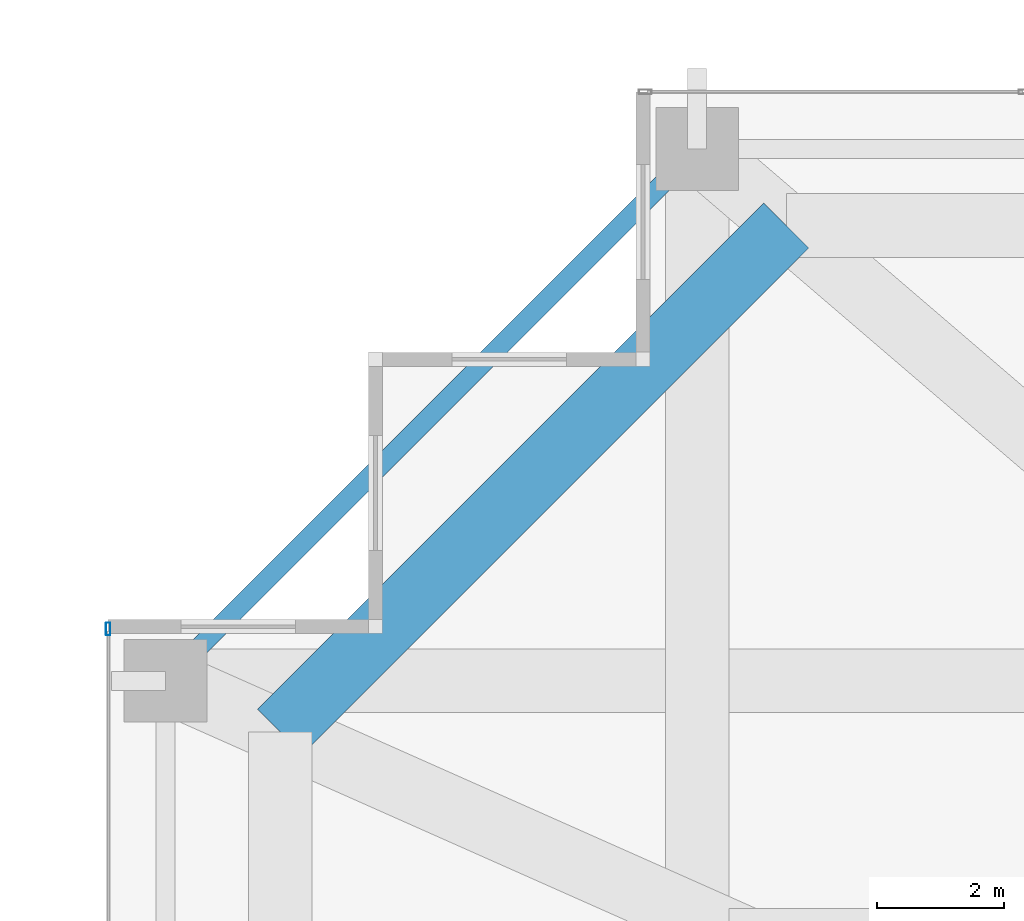
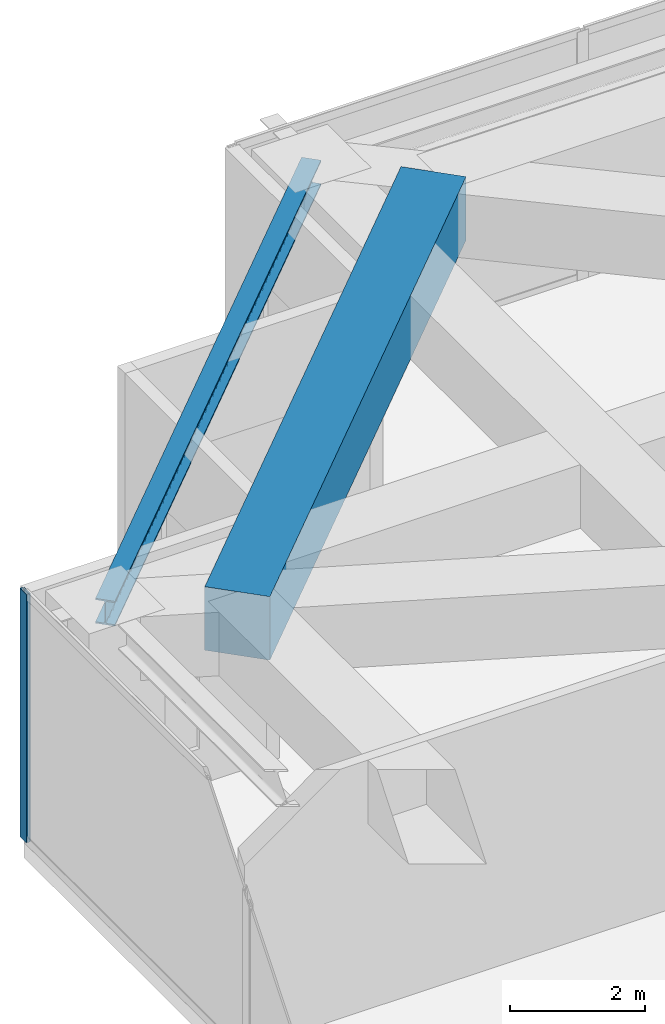
# One storey, part 20 of 35: 2 beams, 1 member, 1 element without a shape of its own.
"""IFC4 building model written with IfcOpenShell, lengths in metres."""

import ifcopenshell
import ifcopenshell.guid

model = None  # the IFC model being written
_history = None  # IfcOwnerHistory: only IFC2X3 demands one
_inside = {}  # id of a spatial element -> (the spatial element, [elements in it])
_under = {}  # id of a project, library or spatial element -> (it, [spatial elements below it])
_declared = {}  # id of a project -> (the project, [libraries it declares])
_typed = {}  # id of a type object -> (the type object, [elements of that type])
_made_of = {}  # id of a material, layer set ... -> (it, [elements and type objects made of it])


def new_model(schema):
    """Start an empty IFC model of exactly this schema.

    Asked for "IFC4X3", IfcOpenShell would pick the latest addendum, in which some entities
    have other attributes; the version numbers below select the first issue.
    IFC2X3 requires an IfcOwnerHistory on every rooted entity: one is made here for all.
    """
    global model, _history
    if schema == "IFC4X3":
        model = ifcopenshell.file(schema_version=(4, 3, 0, 0))
    else:
        model = ifcopenshell.file(schema=schema)
    _inside.clear()
    _under.clear()
    _declared.clear()
    _typed.clear()
    _made_of.clear()
    _history = None
    if model.schema == "IFC2X3":
        org = make("IfcOrganization", Name="unknown")
        user = make(
            "IfcPersonAndOrganization",
            ThePerson=make("IfcPerson", FamilyName="unknown"),
            TheOrganization=org,
        )
        app = make(
            "IfcApplication",
            ApplicationDeveloper=org,
            Version="unknown",
            ApplicationFullName="unknown",
            ApplicationIdentifier="unknown",
        )
        _history = make(
            "IfcOwnerHistory",
            OwningUser=user,
            OwningApplication=app,
            ChangeAction="ADDED",
            CreationDate=0,
        )
    return model


def make(cls, **values):
    """One entity of the class cls with the attributes given. An attribute that is None is left unset."""
    return model.create_entity(
        cls, **{name: value for name, value in values.items() if value is not None}
    )


def rooted(cls, **values):
    """An entity with a GlobalId (a new one), such as an element, a storey or a relation."""
    return make(cls, GlobalId=ifcopenshell.guid.new(), OwnerHistory=_history, **values)


def si_unit(unit_type, name, prefix=None):
    """IfcSIUnit, for example si_unit("LENGTHUNIT", "METRE", prefix="MILLI")."""
    return make("IfcSIUnit", UnitType=unit_type, Prefix=prefix, Name=name)


def assignment(units):
    """IfcUnitAssignment: the units of a project."""
    return None if units is None else make("IfcUnitAssignment", Units=units)


def point(xyz):
    """IfcCartesianPoint."""
    return None if xyz is None else make("IfcCartesianPoint", Coordinates=xyz)


def direction(xyz):
    """IfcDirection."""
    return None if xyz is None else make("IfcDirection", DirectionRatios=xyz)


def frame(location, z_axis=None, x_axis=None):
    """IfcAxis2Placement3D, a coordinate frame: its origin and axes. An axis left out is left unset."""
    return make(
        "IfcAxis2Placement3D",
        Location=point(location),
        Axis=direction(z_axis),
        RefDirection=direction(x_axis),
    )


def frame_2d(location, x_axis=None):
    """IfcAxis2Placement2D, a coordinate frame in the plane: its origin and x axis."""
    return make(
        "IfcAxis2Placement2D", Location=point(location), RefDirection=direction(x_axis)
    )


def origin():
    """The frame at (0, 0, 0) with its axes left unset."""
    return frame((0.0, 0.0, 0.0))


def origin_2d():
    """The frame at (0, 0) in the plane with its x axis left unset."""
    return frame_2d((0.0, 0.0))


def place(relative_to, where):
    """IfcLocalPlacement: puts the frame where relative to a parent placement (None: the world)."""
    return make(
        "IfcLocalPlacement", PlacementRelTo=relative_to, RelativePlacement=where
    )


def context(
    kind, dimensions, precision=None, world=None, true_north=None, identifier=None
):
    """IfcGeometricRepresentationContext, for example the 3D "Model" context."""
    return make(
        "IfcGeometricRepresentationContext",
        ContextIdentifier=identifier,
        ContextType=kind,
        CoordinateSpaceDimension=dimensions,
        Precision=precision,
        WorldCoordinateSystem=world,
        TrueNorth=true_north,
    )


def subcontext(parent, identifier, kind, view, scale=None):
    """IfcGeometricRepresentationSubContext, for example "Body" below "Model"."""
    return make(
        "IfcGeometricRepresentationSubContext",
        ContextIdentifier=identifier,
        ContextType=kind,
        ParentContext=parent,
        TargetScale=scale,
        TargetView=view,
    )


def project(units=None, contexts=None):
    """IfcProject with its units and contexts."""
    return rooted(
        "IfcProject",
        Name="project",
        RepresentationContexts=contexts,
        UnitsInContext=assignment(units),
    )


def spatial(cls, under=None, at=None, **own):
    """A site, building, storey or space (cls), placed at a placement, below another one or the project."""
    s = rooted(cls, ObjectPlacement=at, **own)
    if under is not None:
        _under.setdefault(under.id(), (under, []))[1].append(s)
    return s


def profile(cls, at=None, kind="AREA", **sizes):
    """A parametric profile (cls). Its sizes go by their IFC names, for example OverallWidth=200.0."""
    return make(cls, ProfileType=kind, Position=at, **sizes)


def rectangle(**sizes):
    """IfcRectangleProfileDef."""
    return profile("IfcRectangleProfileDef", **sizes)


def hollow_rectangle(**sizes):
    """IfcRectangleHollowProfileDef."""
    return profile("IfcRectangleHollowProfileDef", **sizes)


def i_section(**sizes):
    """IfcIShapeProfileDef."""
    return profile("IfcIShapeProfileDef", **sizes)


def extrude(swept, where, along, depth):
    """IfcExtrudedAreaSolid: the profile swept, set in the frame where, extruded along a direction by depth."""
    return make(
        "IfcExtrudedAreaSolid",
        SweptArea=swept,
        Position=where,
        ExtrudedDirection=direction(along),
        Depth=depth,
    )


def shape(context_of_items, identifier, shape_type, items):
    """IfcShapeRepresentation: the items that make up one representation, for example the "Body"."""
    return make(
        "IfcShapeRepresentation",
        ContextOfItems=context_of_items,
        RepresentationIdentifier=identifier,
        RepresentationType=shape_type,
        Items=items,
    )


def source(mapping_origin, context_of_items, identifier, shape_type, items):
    """IfcRepresentationMap: a shape defined once, which mapped items show again and again."""
    return make(
        "IfcRepresentationMap",
        MappingOrigin=mapping_origin,
        MappedRepresentation=shape(context_of_items, identifier, shape_type, items),
    )


def transform(
    local_origin,
    x_axis=None,
    y_axis=None,
    z_axis=None,
    scale=None,
    scale2=None,
    scale3=None,
    uniform=True,
):
    """IfcCartesianTransformationOperator3D, or its non-uniform kind. x_axis, y_axis, z_axis: its Axis1, 2, 3."""
    if uniform:
        return make(
            "IfcCartesianTransformationOperator3D",
            Axis1=direction(x_axis),
            Axis2=direction(y_axis),
            LocalOrigin=point(local_origin),
            Scale=scale,
            Axis3=direction(z_axis),
        )
    return make(
        "IfcCartesianTransformationOperator3DnonUniform",
        Axis1=direction(x_axis),
        Axis2=direction(y_axis),
        LocalOrigin=point(local_origin),
        Scale=scale,
        Axis3=direction(z_axis),
        Scale2=scale2,
        Scale3=scale3,
    )


def mapped(mapping_source, mapping_target):
    """IfcMappedItem: shows the shape of a source again, moved by a transform."""
    return make(
        "IfcMappedItem", MappingSource=mapping_source, MappingTarget=mapping_target
    )


def material(Name=None, Category=None):
    """IfcMaterial."""
    return make("IfcMaterial", Name=Name, Category=Category)


def layer(
    of_material, thickness, ventilated=None, Name=None, Category=None, Priority=None
):
    """IfcMaterialLayer: one layer of a wall or slab, of a material (None: an air gap)."""
    return make(
        "IfcMaterialLayer",
        Material=of_material,
        LayerThickness=thickness,
        IsVentilated=ventilated,
        Name=Name,
        Category=Category,
        Priority=Priority,
    )


def layer_set(layers, Name=None):
    """IfcMaterialLayerSet."""
    return make("IfcMaterialLayerSet", MaterialLayers=layers, LayerSetName=Name)


def material_profile(
    of_material, cross_section, Name=None, Category=None, Priority=None
):
    """IfcMaterialProfile: a cross section and its material."""
    return make(
        "IfcMaterialProfile",
        Name=Name,
        Material=of_material,
        Profile=cross_section,
        Priority=Priority,
        Category=Category,
    )


def profile_set(profiles, Name=None, composite=None):
    """IfcMaterialProfileSet."""
    return make(
        "IfcMaterialProfileSet",
        Name=Name,
        MaterialProfiles=profiles,
        CompositeProfile=composite,
    )


def made_of(thing, what):
    """Note that an element or type object is made of a material, layer set ...; save() writes the relation."""
    if what is not None:
        _made_of.setdefault(what.id(), (what, []))[1].append(thing)
    return thing


def type_object(cls, material=None, **own):
    """A type object (cls), such as IfcWallType, which elements share."""
    return made_of(rooted(cls, **own), material)


def element(
    cls,
    number,
    at=None,
    inside=None,
    cuts=None,
    type_object=None,
    material=None,
    context=None,
    identifier="Body",
    shape_type=None,
    held_by="IfcProductDefinitionShape",
    body=None,
    shapes=None,
    **own,
):
    """One element of the class cls, such as IfcWall. Its Tag is "e" and its number.

    at: its placement. inside: the storey or other place that contains it. cuts: it is an
    opening in that element (IfcRelVoidsElement). A single representation is given by context,
    identifier, shape_type and body (its items); several are given by shapes. held_by: the class
    of the entity that holds the representations. save() writes the other relations.
    """
    e = rooted(cls, Tag="e%d" % number, ObjectPlacement=at, **own)
    if body is not None:
        shapes = [shape(context, identifier, shape_type, body)]
    if shapes is not None:
        e.Representation = make(held_by, Representations=shapes)
    if inside is not None:
        _inside.setdefault(inside.id(), (inside, []))[1].append(e)
    if cuts is not None:
        rooted(
            "IfcRelVoidsElement", RelatingBuildingElement=cuts, RelatedOpeningElement=e
        )
    if type_object is not None:
        _typed.setdefault(type_object.id(), (type_object, []))[1].append(e)
    return made_of(e, material)


def aggregate(whole, parts):
    """IfcRelAggregates: a whole, such as a stair, and the parts it consists of."""
    return rooted("IfcRelAggregates", RelatingObject=whole, RelatedObjects=parts)


def save(model, path):
    """Write the relations noted so far, then the file.

    IfcRelAggregates (storeys below a building ...), IfcRelContainedInSpatialStructure (elements
    in a storey), IfcRelDefinesByType, IfcRelAssociatesMaterial and IfcRelDeclares: one each for
    every whole, place, type object, material and project.
    """
    for whole, parts in _under.values():
        aggregate(whole, parts)
    for where, things in _inside.values():
        rooted(
            "IfcRelContainedInSpatialStructure",
            RelatedElements=things,
            RelatingStructure=where,
        )
    for kind, things in _typed.values():
        rooted("IfcRelDefinesByType", RelatedObjects=things, RelatingType=kind)
    for what, things in _made_of.values():
        rooted("IfcRelAssociatesMaterial", RelatedObjects=things, RelatingMaterial=what)
    for by, libraries in _declared.values():
        rooted("IfcRelDeclares", RelatingContext=by, RelatedDefinitions=libraries)
    model.write(path)


model = new_model("IFC4")

# Units and contexts
model_context = context("Model", 3, precision=1e-05, world=origin(), true_north=direction((0.0, 1.0)))
body_context = subcontext(model_context, "Body", "Model", "MODEL_VIEW")
ifc_project = project(units=[si_unit("LENGTHUNIT", "METRE"), si_unit("AREAUNIT", "SQUARE_METRE"), si_unit("VOLUMEUNIT", "CUBIC_METRE"), si_unit("PLANEANGLEUNIT", "RADIAN"), si_unit("MASSUNIT", "GRAM", prefix="KILO")], contexts=[model_context])

# Site, building, storey
site_placement = place(None, origin())
site = spatial("IfcSite", under=ifc_project, at=site_placement, CompositionType="ELEMENT")
building_placement = place(site_placement, origin())
building = spatial("IfcBuilding", under=site, at=building_placement, Name="Serunith Strait Residences", CompositionType="ELEMENT")
storey_placement = place(building_placement, frame((0.0, 0.0, 115.199951171875)))
storey = spatial("IfcBuildingStorey", under=building, at=storey_placement, Name="L28", CompositionType="ELEMENT", Elevation=115.199951171875)

# Beams
ifc_material_1 = material(Name="Steel S355J2", Category="steel")
ifc_material_profile_1 = material_profile(ifc_material_1, i_section(OverallWidth=0.300048828125, OverallDepth=0.449951171875, WebThickness=0.013916015625, FlangeThickness=0.02587890625, FilletRadius=0.027099609375, at=origin_2d()), Name="HEB 450")
ifc_profile_set_1 = profile_set([ifc_material_profile_1], Name="Steel S355J2")
beam_type_1 = type_object("IfcBeamType", Name="BM-HEB450", PredefinedType="BEAM", material=ifc_profile_set_1)
shared_shape_1 = source(origin(), body_context, "Body", "SweptSolid", [
    extrude(i_section(OverallWidth=0.300048828125, OverallDepth=0.449951171875, WebThickness=0.013916015625, FlangeThickness=0.02587890625, FilletRadius=0.027099609375, at=origin_2d()), origin(), (0.0, 0.0, 1.0), 11.808837890625),
])
beam_1_placement = place(storey_placement, frame((15.25, 49.300048828125, 4.281982421875), z_axis=(-0.707106781187, -0.707106781187, 0.0), x_axis=(0.707106781187, -0.707106781187, 0.0)))
element("IfcBeam", 1, at=beam_1_placement, inside=storey, type_object=beam_type_1, Name="L28 Perimeter Ring Beam 12", PredefinedType="BEAM", context=body_context, shape_type="MappedRepresentation", body=[
    mapped(shared_shape_1, transform((0.0, 0.0, 0.0), scale=1.0)),
])
ifc_material_2 = material(Name="Concrete C80/95", Category="concrete")
ifc_material_profile_2 = material_profile(ifc_material_2, rectangle(XDim=1.0, YDim=1.14990234375, at=origin_2d()), Name="RC 1000x1150")
ifc_profile_set_2 = profile_set([ifc_material_profile_2], Name="Concrete C80/95")
beam_type_2 = type_object("IfcBeamType", Name="BM-XFER-1000x1150", PredefinedType="BEAM", material=ifc_profile_set_2)
shared_shape_2 = source(origin(), body_context, "Body", "SweptSolid", [
    extrude(rectangle(XDim=1.0, YDim=1.14990234375, at=origin_2d()), origin(), (0.0, 0.0, 1.0), 11.2431640625),
])
beam_2_placement = place(storey_placement, frame((16.64990234375, 48.10009765625, 3.93505859375), z_axis=(-0.707095923751, -0.707117638455, 0.0), x_axis=(0.707117638455, -0.707095923751, 0.0)))
element("IfcBeam", 2, at=beam_2_placement, inside=storey, type_object=beam_type_2, Name="L28 Flare Upper Ring Transfer Girder 12", PredefinedType="BEAM", context=body_context, shape_type="MappedRepresentation", body=[
    mapped(shared_shape_2, transform((0.0, 0.0, 0.0), scale=1.0)),
])

# Curtain wall, member
ifc_material_3 = material(Name="Pale-Champagne Anodised Aluminium", Category="aluminium")
ifc_layer = layer(ifc_material_3, 0.199951171875, Name="Pale-Champagne Anodised Aluminium")
ifc_layer_set = layer_set([ifc_layer], Name="Pale-Champagne Anodised Aluminium")
curtain_wall_type = type_object("IfcCurtainWallType", Name="CW-SYS1", PredefinedType="NOTDEFINED", material=ifc_layer_set)
curtain_wall_placement = place(storey_placement, origin())
curtain_wall = element("IfcCurtainWall", 3, at=curtain_wall_placement, inside=storey, type_object=curtain_wall_type, Name="L28 W Unitised Fritted Curtain Wall", PredefinedType="NOTDEFINED")
ifc_material_profile_3 = material_profile(ifc_material_3, hollow_rectangle(XDim=0.070068359375, YDim=0.199951171875, WallThickness=0.00390625, InnerFilletRadius=0.006103515625, OuterFilletRadius=0.010009765625, at=origin_2d()), Name="ALU 200x70x4")
ifc_profile_set_3 = profile_set([ifc_material_profile_3], Name="Pale-Champagne Anodised Aluminium")
member_type = type_object("IfcMemberType", Name="CW-SYS1-MULL", PredefinedType="MULLION", material=ifc_profile_set_3)
shared_shape_3 = source(origin(), body_context, "Body", "SweptSolid", [
    extrude(hollow_rectangle(XDim=0.070068359375, YDim=0.199951171875, WallThickness=0.00390625, InnerFilletRadius=0.006103515625, OuterFilletRadius=0.010009765625, at=origin_2d()), origin(), (0.0, 0.0, 1.0), 4.4951171875),
])
member_placement = place(storey_placement, frame((6.0, 41.764892578125, 0.0), z_axis=(0.0, 0.0, 1.0), x_axis=(1.0, 0.0, 0.0)))
member = element("IfcMember", 4, at=member_placement, type_object=member_type, Name="CW-1 mullion 1", PredefinedType="MULLION", context=body_context, shape_type="MappedRepresentation", body=[
    mapped(shared_shape_3, transform((0.0, 0.0, 0.0), scale=1.0)),
])
aggregate(curtain_wall, [member])

save(model, "model.ifc")
